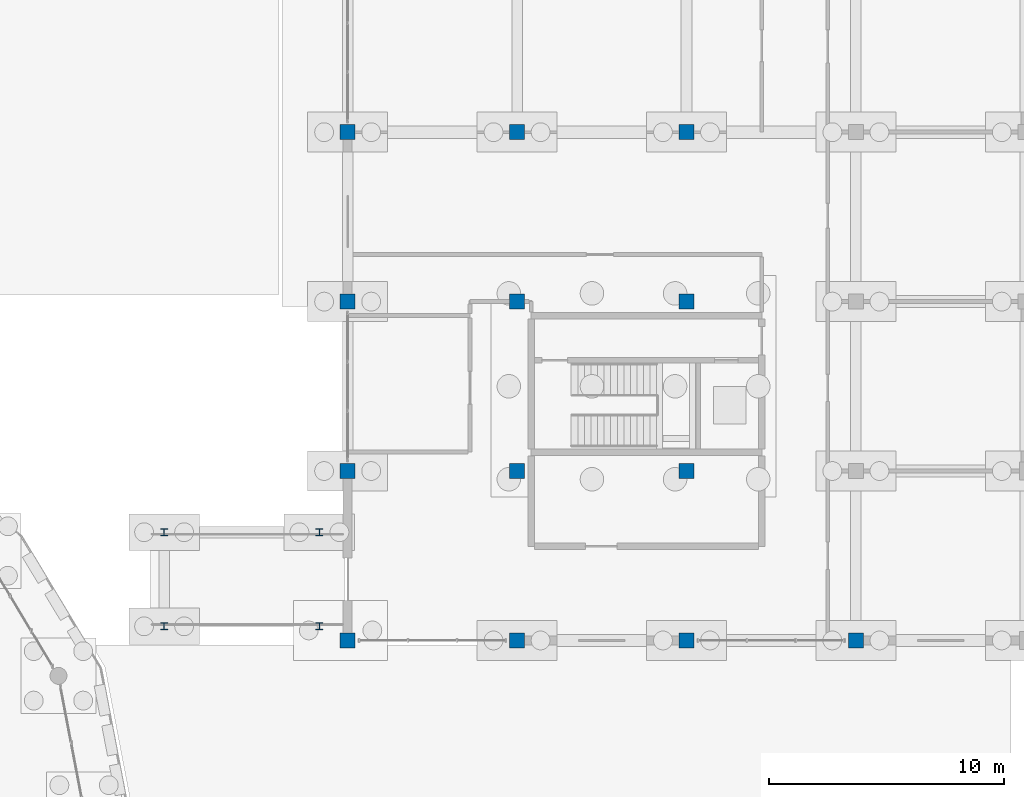
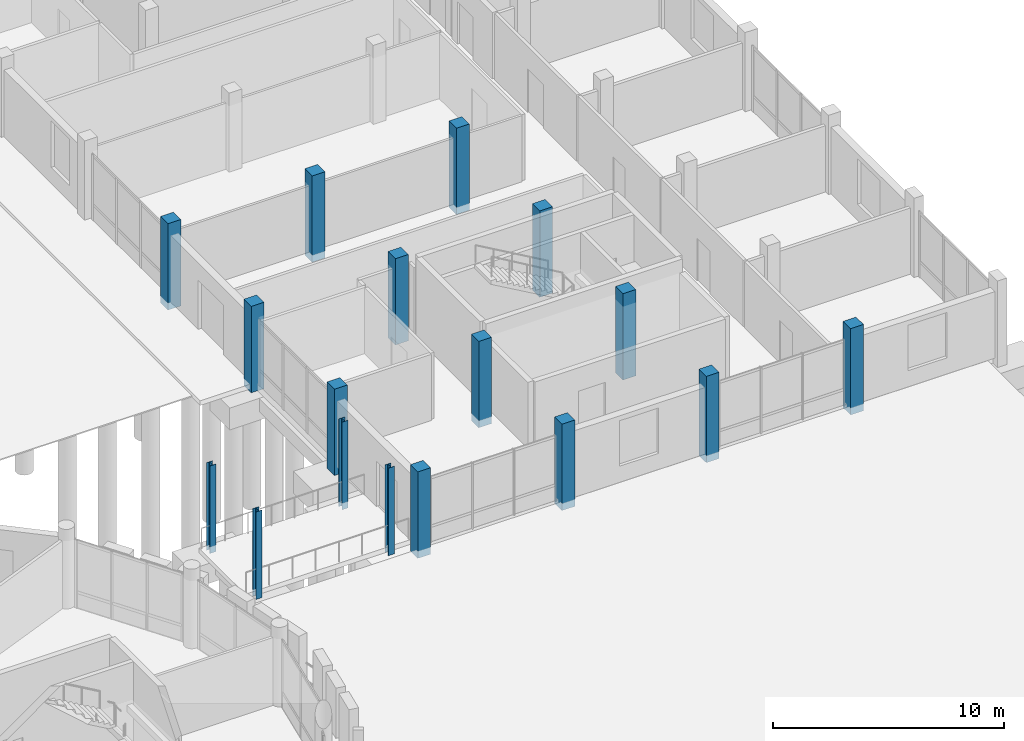
# One storey, part 15 of 98: 17 columns.
"""IFC4 building model written with IfcOpenShell, lengths in metres."""

import ifcopenshell
import ifcopenshell.guid

model = None  # the IFC model being written
_history = None  # IfcOwnerHistory: only IFC2X3 demands one
_inside = {}  # id of a spatial element -> (the spatial element, [elements in it])
_under = {}  # id of a project, library or spatial element -> (it, [spatial elements below it])
_declared = {}  # id of a project -> (the project, [libraries it declares])
_typed = {}  # id of a type object -> (the type object, [elements of that type])
_made_of = {}  # id of a material, layer set ... -> (it, [elements and type objects made of it])


def new_model(schema):
    """Start an empty IFC model of exactly this schema.

    Asked for "IFC4X3", IfcOpenShell would pick the latest addendum, in which some entities
    have other attributes; the version numbers below select the first issue.
    IFC2X3 requires an IfcOwnerHistory on every rooted entity: one is made here for all.
    """
    global model, _history
    if schema == "IFC4X3":
        model = ifcopenshell.file(schema_version=(4, 3, 0, 0))
    else:
        model = ifcopenshell.file(schema=schema)
    _inside.clear()
    _under.clear()
    _declared.clear()
    _typed.clear()
    _made_of.clear()
    _history = None
    if model.schema == "IFC2X3":
        org = make("IfcOrganization", Name="unknown")
        user = make(
            "IfcPersonAndOrganization",
            ThePerson=make("IfcPerson", FamilyName="unknown"),
            TheOrganization=org,
        )
        app = make(
            "IfcApplication",
            ApplicationDeveloper=org,
            Version="unknown",
            ApplicationFullName="unknown",
            ApplicationIdentifier="unknown",
        )
        _history = make(
            "IfcOwnerHistory",
            OwningUser=user,
            OwningApplication=app,
            ChangeAction="ADDED",
            CreationDate=0,
        )
    return model


def make(cls, **values):
    """One entity of the class cls with the attributes given. An attribute that is None is left unset."""
    return model.create_entity(
        cls, **{name: value for name, value in values.items() if value is not None}
    )


def rooted(cls, **values):
    """An entity with a GlobalId (a new one), such as an element, a storey or a relation."""
    return make(cls, GlobalId=ifcopenshell.guid.new(), OwnerHistory=_history, **values)


def si_unit(unit_type, name, prefix=None):
    """IfcSIUnit, for example si_unit("LENGTHUNIT", "METRE", prefix="MILLI")."""
    return make("IfcSIUnit", UnitType=unit_type, Prefix=prefix, Name=name)


def assignment(units):
    """IfcUnitAssignment: the units of a project."""
    return None if units is None else make("IfcUnitAssignment", Units=units)


def point(xyz):
    """IfcCartesianPoint."""
    return None if xyz is None else make("IfcCartesianPoint", Coordinates=xyz)


def direction(xyz):
    """IfcDirection."""
    return None if xyz is None else make("IfcDirection", DirectionRatios=xyz)


def frame(location, z_axis=None, x_axis=None):
    """IfcAxis2Placement3D, a coordinate frame: its origin and axes. An axis left out is left unset."""
    return make(
        "IfcAxis2Placement3D",
        Location=point(location),
        Axis=direction(z_axis),
        RefDirection=direction(x_axis),
    )


def frame_2d(location, x_axis=None):
    """IfcAxis2Placement2D, a coordinate frame in the plane: its origin and x axis."""
    return make(
        "IfcAxis2Placement2D", Location=point(location), RefDirection=direction(x_axis)
    )


def origin():
    """The frame at (0, 0, 0) with its axes left unset."""
    return frame((0.0, 0.0, 0.0))


def origin_2d():
    """The frame at (0, 0) in the plane with its x axis left unset."""
    return frame_2d((0.0, 0.0))


def place(relative_to, where):
    """IfcLocalPlacement: puts the frame where relative to a parent placement (None: the world)."""
    return make(
        "IfcLocalPlacement", PlacementRelTo=relative_to, RelativePlacement=where
    )


def context(
    kind, dimensions, precision=None, world=None, true_north=None, identifier=None
):
    """IfcGeometricRepresentationContext, for example the 3D "Model" context."""
    return make(
        "IfcGeometricRepresentationContext",
        ContextIdentifier=identifier,
        ContextType=kind,
        CoordinateSpaceDimension=dimensions,
        Precision=precision,
        WorldCoordinateSystem=world,
        TrueNorth=true_north,
    )


def subcontext(parent, identifier, kind, view, scale=None):
    """IfcGeometricRepresentationSubContext, for example "Body" below "Model"."""
    return make(
        "IfcGeometricRepresentationSubContext",
        ContextIdentifier=identifier,
        ContextType=kind,
        ParentContext=parent,
        TargetScale=scale,
        TargetView=view,
    )


def project(units=None, contexts=None):
    """IfcProject with its units and contexts."""
    return rooted(
        "IfcProject",
        Name="project",
        RepresentationContexts=contexts,
        UnitsInContext=assignment(units),
    )


def spatial(cls, under=None, at=None, **own):
    """A site, building, storey or space (cls), placed at a placement, below another one or the project."""
    s = rooted(cls, ObjectPlacement=at, **own)
    if under is not None:
        _under.setdefault(under.id(), (under, []))[1].append(s)
    return s


def profile(cls, at=None, kind="AREA", **sizes):
    """A parametric profile (cls). Its sizes go by their IFC names, for example OverallWidth=200.0."""
    return make(cls, ProfileType=kind, Position=at, **sizes)


def rectangle(**sizes):
    """IfcRectangleProfileDef."""
    return profile("IfcRectangleProfileDef", **sizes)


def i_section(**sizes):
    """IfcIShapeProfileDef."""
    return profile("IfcIShapeProfileDef", **sizes)


def extrude(swept, where, along, depth):
    """IfcExtrudedAreaSolid: the profile swept, set in the frame where, extruded along a direction by depth."""
    return make(
        "IfcExtrudedAreaSolid",
        SweptArea=swept,
        Position=where,
        ExtrudedDirection=direction(along),
        Depth=depth,
    )


def shape(context_of_items, identifier, shape_type, items):
    """IfcShapeRepresentation: the items that make up one representation, for example the "Body"."""
    return make(
        "IfcShapeRepresentation",
        ContextOfItems=context_of_items,
        RepresentationIdentifier=identifier,
        RepresentationType=shape_type,
        Items=items,
    )


def material(Name=None, Category=None):
    """IfcMaterial."""
    return make("IfcMaterial", Name=Name, Category=Category)


def material_profile(
    of_material, cross_section, Name=None, Category=None, Priority=None
):
    """IfcMaterialProfile: a cross section and its material."""
    return make(
        "IfcMaterialProfile",
        Name=Name,
        Material=of_material,
        Profile=cross_section,
        Priority=Priority,
        Category=Category,
    )


def profile_set(profiles, Name=None, composite=None):
    """IfcMaterialProfileSet."""
    return make(
        "IfcMaterialProfileSet",
        Name=Name,
        MaterialProfiles=profiles,
        CompositeProfile=composite,
    )


def made_of(thing, what):
    """Note that an element or type object is made of a material, layer set ...; save() writes the relation."""
    if what is not None:
        _made_of.setdefault(what.id(), (what, []))[1].append(thing)
    return thing


def type_object(cls, material=None, **own):
    """A type object (cls), such as IfcWallType, which elements share."""
    return made_of(rooted(cls, **own), material)


def element(
    cls,
    number,
    at=None,
    inside=None,
    cuts=None,
    type_object=None,
    material=None,
    context=None,
    identifier="Body",
    shape_type=None,
    held_by="IfcProductDefinitionShape",
    body=None,
    shapes=None,
    **own,
):
    """One element of the class cls, such as IfcWall. Its Tag is "e" and its number.

    at: its placement. inside: the storey or other place that contains it. cuts: it is an
    opening in that element (IfcRelVoidsElement). A single representation is given by context,
    identifier, shape_type and body (its items); several are given by shapes. held_by: the class
    of the entity that holds the representations. save() writes the other relations.
    """
    e = rooted(cls, Tag="e%d" % number, ObjectPlacement=at, **own)
    if body is not None:
        shapes = [shape(context, identifier, shape_type, body)]
    if shapes is not None:
        e.Representation = make(held_by, Representations=shapes)
    if inside is not None:
        _inside.setdefault(inside.id(), (inside, []))[1].append(e)
    if cuts is not None:
        rooted(
            "IfcRelVoidsElement", RelatingBuildingElement=cuts, RelatedOpeningElement=e
        )
    if type_object is not None:
        _typed.setdefault(type_object.id(), (type_object, []))[1].append(e)
    return made_of(e, material)


def aggregate(whole, parts):
    """IfcRelAggregates: a whole, such as a stair, and the parts it consists of."""
    return rooted("IfcRelAggregates", RelatingObject=whole, RelatedObjects=parts)


def save(model, path):
    """Write the relations noted so far, then the file.

    IfcRelAggregates (storeys below a building ...), IfcRelContainedInSpatialStructure (elements
    in a storey), IfcRelDefinesByType, IfcRelAssociatesMaterial and IfcRelDeclares: one each for
    every whole, place, type object, material and project.
    """
    for whole, parts in _under.values():
        aggregate(whole, parts)
    for where, things in _inside.values():
        rooted(
            "IfcRelContainedInSpatialStructure",
            RelatedElements=things,
            RelatingStructure=where,
        )
    for kind, things in _typed.values():
        rooted("IfcRelDefinesByType", RelatedObjects=things, RelatingType=kind)
    for what, things in _made_of.values():
        rooted("IfcRelAssociatesMaterial", RelatedObjects=things, RelatingMaterial=what)
    for by, libraries in _declared.values():
        rooted("IfcRelDeclares", RelatingContext=by, RelatedDefinitions=libraries)
    model.write(path)


model = new_model("IFC4")

# Units and contexts
model_context = context("Model", 3, precision=1e-05, world=origin(), true_north=direction((0.0, 1.0)))
body_context = subcontext(model_context, "Body", "Model", "MODEL_VIEW")
ifc_project = project(units=[si_unit("LENGTHUNIT", "METRE"), si_unit("AREAUNIT", "SQUARE_METRE"), si_unit("VOLUMEUNIT", "CUBIC_METRE"), si_unit("PLANEANGLEUNIT", "RADIAN"), si_unit("MASSUNIT", "GRAM", prefix="KILO")], contexts=[model_context])

# Site, building, storey
site_placement = place(None, origin())
site = spatial("IfcSite", under=ifc_project, at=site_placement, CompositionType="ELEMENT")
building_placement = place(site_placement, origin())
building = spatial("IfcBuilding", under=site, at=building_placement, Name="Zornivar Specialist Clinic", CompositionType="ELEMENT")
storey_placement = place(building_placement, origin())
storey = spatial("IfcBuildingStorey", under=building, at=storey_placement, Name="L00", CompositionType="ELEMENT", Elevation=0.0)

# Columns
ifc_material_1 = material(Name="Concrete C35/45", Category="concrete")
ifc_material_profile_1 = material_profile(ifc_material_1, rectangle(XDim=0.639892578125, YDim=0.639892578125, at=origin_2d()), Name="RC 640x640")
ifc_profile_set_1 = profile_set([ifc_material_profile_1], Name="Concrete C35/45")
column_type_1 = type_object("IfcColumnType", Name="COL-RC-640", PredefinedType="COLUMN", material=ifc_profile_set_1)
for number, where, z_axis, x_axis, name in (
    (1, (136.800048828125, 64.800048828125, -0.3798828125), (0.0, 0.0, 1.0), (1.0, 0.0, 0.0), "col:V6:L00:1368_648"),
    (2, (136.800048828125, 72.0, -0.3798828125), (0.0, 0.0, 1.0), (1.0, 0.0, 0.0), "col:V6:L00:1368_720"),
    (3, (136.800048828125, 79.199951171875, -0.3798828125), (0.0, 0.0, 1.0), (1.0, 0.0, 0.0), "col:V6:L00:1368_792"),
    (4, (136.800048828125, 86.39990234375, -0.3798828125), (0.0, 0.0, 1.0), (1.0, 0.0, 0.0), "col:V6:L00:1368_864"),
    (5, (144.0, 64.800048828125, -0.3798828125), (0.0, 0.0, 1.0), (1.0, 0.0, 0.0), "col:V6:L00:1440_648"),
    (6, (144.0, 72.0, -0.3798828125), (0.0, 0.0, 1.0), (1.0, 0.0, 0.0), "col:V6:L00:1440_720"),
    (7, (144.0, 79.199951171875, -0.3798828125), (0.0, 0.0, 1.0), (1.0, 0.0, 0.0), "col:V6:L00:1440_792"),
    (8, (144.0, 86.39990234375, -0.3798828125), (0.0, 0.0, 1.0), (1.0, 0.0, 0.0), "col:V6:L00:1440_864"),
    (9, (151.199951171875, 64.800048828125, -0.3798828125), (0.0, 0.0, 1.0), (1.0, 0.0, 0.0), "col:V6:L00:1512_648"),
    (10, (151.199951171875, 72.0, -0.3798828125), (0.0, 0.0, 1.0), (1.0, 0.0, 0.0), "col:V6:L00:1512_720"),
    (11, (151.199951171875, 79.199951171875, -0.3798828125), (0.0, 0.0, 1.0), (1.0, 0.0, 0.0), "col:V6:L00:1512_792"),
    (12, (151.199951171875, 86.39990234375, -0.3798828125), (0.0, 0.0, 1.0), (1.0, 0.0, 0.0), "col:V6:L00:1512_864"),
    (13, (158.39990234375, 64.800048828125, -0.3798828125), (0.0, 0.0, 1.0), (1.0, 0.0, 0.0), "col:V6:L00:1584_648"),
):
    element("IfcColumn", number, at=place(storey_placement, frame(where, z_axis=z_axis, x_axis=x_axis)), inside=storey, type_object=column_type_1, Name=name, PredefinedType="COLUMN", context=body_context, shape_type="SweptSolid", body=[
        extrude(rectangle(XDim=0.639892578125, YDim=0.639892578125, at=origin_2d()), origin(), (0.0, 0.0, 1.0), 4.559814453125),
    ])
ifc_material_2 = material(Name="Steel S355J2", Category="steel")
ifc_material_profile_2 = material_profile(ifc_material_2, i_section(OverallWidth=0.300048828125, OverallDepth=0.300048828125, WebThickness=0.010986328125, FlangeThickness=0.01904296875, FilletRadius=0.027099609375, at=origin_2d()), Name="HEB 300")
ifc_profile_set_2 = profile_set([ifc_material_profile_2], Name="Steel S355J2")
column_type_2 = type_object("IfcColumnType", Name="COL-STL-HEB300", PredefinedType="COLUMN", material=ifc_profile_set_2)
for number, where, z_axis, x_axis, name in (
    (14, (129.0, 65.39990234375, -0.35009765625), (0.0, 0.0, 1.0), (1.0, 0.0, 0.0), "col:BR3:L00:1290_654"),
    (15, (129.0, 69.39990234375, -0.35009765625), (0.0, 0.0, 1.0), (1.0, 0.0, 0.0), "col:BR3:L00:1290_694"),
    (16, (135.60009765625, 65.39990234375, -0.35009765625), (0.0, 0.0, 1.0), (1.0, 0.0, 0.0), "col:BR3:L00:1356_654"),
    (17, (135.60009765625, 69.39990234375, -0.35009765625), (0.0, 0.0, 1.0), (1.0, 0.0, 0.0), "col:BR3:L00:1356_694"),
):
    element("IfcColumn", number, at=place(storey_placement, frame(where, z_axis=z_axis, x_axis=x_axis)), inside=storey, type_object=column_type_2, Name=name, PredefinedType="COLUMN", context=body_context, shape_type="SweptSolid", body=[
        extrude(i_section(OverallWidth=0.300048828125, OverallDepth=0.300048828125, WebThickness=0.010986328125, FlangeThickness=0.01904296875, FilletRadius=0.027099609375, at=origin_2d()), origin(), (0.0, 0.0, 1.0), 4.6201171875),
    ])

save(model, "model.ifc")
